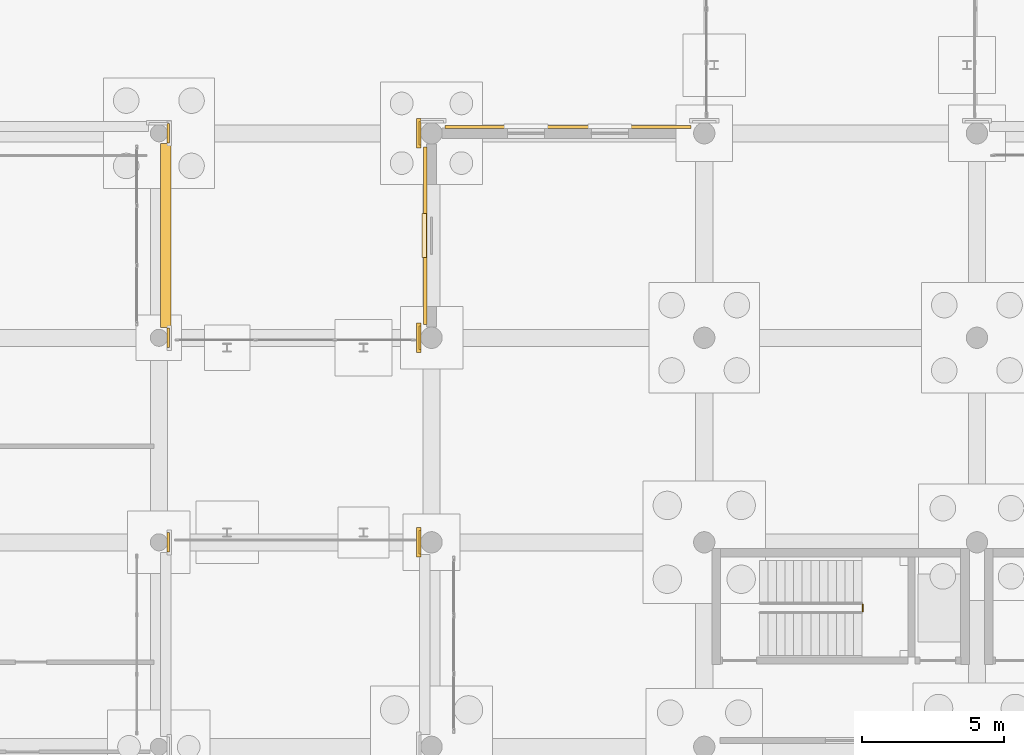
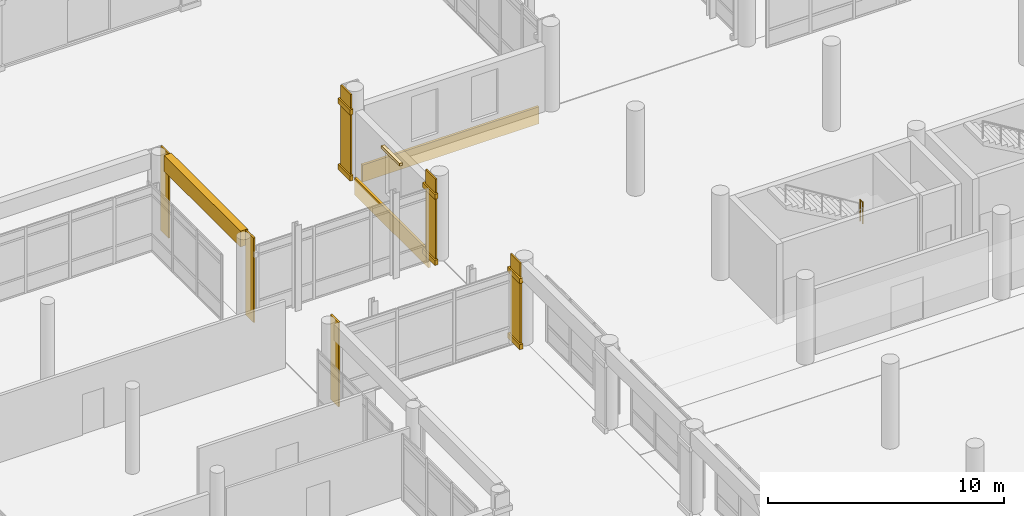
# One storey, part 181 of 196: 16 coverings, 1 railing.
"""IFC4 building model written with IfcOpenShell, lengths in metres."""

from ifc_helpers import new_model, si_unit, direction, frame, origin, origin_2d, place, context, subcontext, project, spatial, rectangle, circle, extrude, material, layer, layer_set, type_object, element, save


model = new_model("IFC4")

# Units and contexts
model_context = context("Model", 3, precision=1e-05, world=origin(), true_north=direction((0.0, 1.0)))
body_context = subcontext(model_context, "Body", "Model", "MODEL_VIEW")
ifc_project = project(units=[si_unit("LENGTHUNIT", "METRE"), si_unit("AREAUNIT", "SQUARE_METRE"), si_unit("VOLUMEUNIT", "CUBIC_METRE"), si_unit("PLANEANGLEUNIT", "RADIAN"), si_unit("MASSUNIT", "GRAM", prefix="KILO")], contexts=[model_context])

# Site, building, storey
site_placement = place(None, origin())
site = spatial("IfcSite", under=ifc_project, at=site_placement, CompositionType="ELEMENT")
building_placement = place(site_placement, origin())
building = spatial("IfcBuilding", under=site, at=building_placement, Name="Asteropetra Specialist Clinic", CompositionType="ELEMENT")
storey_placement = place(building_placement, origin())
storey = spatial("IfcBuildingStorey", under=building, at=storey_placement, Name="L00", CompositionType="ELEMENT", Elevation=0.0)

# Coverings
ifc_material_1 = material(Name="Pentelic marble ashlar", Category="masonry")
ifc_layer = layer(ifc_material_1, 0.159912109375)
ifc_layer_set = layer_set([ifc_layer], Name="Pentelic marble ashlar")
covering_type = type_object("IfcCoveringType", Name="CRN-ENTAB-600", PredefinedType="MOLDING", material=ifc_layer_set)
covering_1_placement = place(storey_placement, frame((96.239990234375, 58.800048828125, 3.58984375), z_axis=(0.0, 0.0, 1.0), x_axis=(1.0, 0.0, 0.0)))
element("IfcCovering", 1, at=covering_1_placement, inside=storey, type_object=covering_type, Name="Stoa Classical Entablature SE-0052", PredefinedType="MOLDING", context=body_context, shape_type="SweptSolid", body=[
    extrude(rectangle(XDim=0.360107421875, YDim=6.47998046875, at=origin_2d()), origin(), (0.0, 0.0, 1.0), 0.820068359375),
])
for number, where, z_axis, x_axis, name in (
    (2, (96.33203125, 48.0, 0.02001953125), (0.0, 0.0, 1.0), (1.0, 0.0, 0.0), "Neoclassical Pilaster Facing CM-0415"),
    (3, (96.33203125, 55.199951171875, 0.02001953125), (0.0, 0.0, 1.0), (1.0, 0.0, 0.0), "Neoclassical Pilaster Facing CM-0418"),
    (4, (96.33203125, 62.39990234375, 0.02001953125), (0.0, 0.0, 1.0), (1.0, 0.0, 0.0), "Neoclassical Pilaster Facing CM-0424"),
):
    element("IfcCovering", number, at=place(storey_placement, frame(where, z_axis=z_axis, x_axis=x_axis)), inside=storey, type_object=covering_type, Name=name, PredefinedType="MOLDING", context=body_context, shape_type="SweptSolid", body=[
        extrude(rectangle(XDim=0.080078125, YDim=0.679931640625, at=origin_2d()), origin(), (0.0, 0.0, 1.0), 4.3798828125),
    ])
covering_2_placement = place(storey_placement, frame((105.193115234375, 48.0, 0.02001953125), z_axis=(0.0, 0.0, 1.0), x_axis=(1.0, 0.0, 0.0)))
element("IfcCovering", 5, at=covering_2_placement, inside=storey, type_object=covering_type, Name="Neoclassical Pilaster Facing CM-0941", PredefinedType="MOLDING", context=body_context, shape_type="SweptSolid", body=[
    extrude(rectangle(XDim=0.080078125, YDim=0.830078125, at=origin_2d()), origin(), (0.0, 0.0, 1.0), 4.3798828125),
])
for number, where, z_axis, x_axis, name in (
    (6, (105.153076171875, 48.0, 0.009765625), (0.0, 0.0, 1.0), (1.0, 0.0, 0.0), "Doric Base CC-0942"),
    (7, (105.153076171875, 48.0, 3.43017578125), (0.0, 0.0, 1.0), (1.0, 0.0, 0.0), "Doric Capital CC-0943"),
):
    element("IfcCovering", number, at=place(storey_placement, frame(where, z_axis=z_axis, x_axis=x_axis)), inside=storey, type_object=covering_type, Name=name, PredefinedType="MOLDING", context=body_context, shape_type="SweptSolid", body=[
        extrude(rectangle(XDim=0.159912109375, YDim=1.030029296875, at=origin_2d()), origin(), (0.0, 0.0, 1.0), 0.260009765625),
    ])
covering_3_placement = place(storey_placement, frame((105.193115234375, 55.199951171875, 0.02001953125), z_axis=(0.0, 0.0, 1.0), x_axis=(1.0, 0.0, 0.0)))
element("IfcCovering", 8, at=covering_3_placement, inside=storey, type_object=covering_type, Name="Neoclassical Pilaster Facing CM-0944", PredefinedType="MOLDING", context=body_context, shape_type="SweptSolid", body=[
    extrude(rectangle(XDim=0.080078125, YDim=0.830078125, at=origin_2d()), origin(), (0.0, 0.0, 1.0), 4.3798828125),
])
for number, where, z_axis, x_axis, name in (
    (9, (105.153076171875, 55.199951171875, 0.009765625), (0.0, 0.0, 1.0), (1.0, 0.0, 0.0), "Doric Base CC-0945"),
    (10, (105.153076171875, 55.199951171875, 3.43017578125), (0.0, 0.0, 1.0), (1.0, 0.0, 0.0), "Doric Capital CC-0946"),
):
    element("IfcCovering", number, at=place(storey_placement, frame(where, z_axis=z_axis, x_axis=x_axis)), inside=storey, type_object=covering_type, Name=name, PredefinedType="MOLDING", context=body_context, shape_type="SweptSolid", body=[
        extrude(rectangle(XDim=0.159912109375, YDim=1.030029296875, at=origin_2d()), origin(), (0.0, 0.0, 1.0), 0.260009765625),
    ])
covering_4_placement = place(storey_placement, frame((105.193115234375, 62.39990234375, 0.02001953125), z_axis=(0.0, 0.0, 1.0), x_axis=(1.0, 0.0, 0.0)))
element("IfcCovering", 11, at=covering_4_placement, inside=storey, type_object=covering_type, Name="Neoclassical Pilaster Facing CM-0950", PredefinedType="MOLDING", context=body_context, shape_type="SweptSolid", body=[
    extrude(rectangle(XDim=0.080078125, YDim=0.830078125, at=origin_2d()), origin(), (0.0, 0.0, 1.0), 4.3798828125),
])
for number, where, z_axis, x_axis, name in (
    (12, (105.153076171875, 62.39990234375, 0.009765625), (0.0, 0.0, 1.0), (1.0, 0.0, 0.0), "Doric Base CC-0951"),
    (13, (105.153076171875, 62.39990234375, 3.43017578125), (0.0, 0.0, 1.0), (1.0, 0.0, 0.0), "Doric Capital CC-0952"),
):
    element("IfcCovering", number, at=place(storey_placement, frame(where, z_axis=z_axis, x_axis=x_axis)), inside=storey, type_object=covering_type, Name=name, PredefinedType="MOLDING", context=body_context, shape_type="SweptSolid", body=[
        extrude(rectangle(XDim=0.159912109375, YDim=1.030029296875, at=origin_2d()), origin(), (0.0, 0.0, 1.0), 0.260009765625),
    ])
covering_5_placement = place(storey_placement, frame((110.39990234375, 62.6201171875, -0.800048828125), z_axis=(0.0, 0.0, 1.0), x_axis=(1.0, 0.0, 0.0)))
element("IfcCovering", 14, at=covering_5_placement, inside=storey, type_object=covering_type, Name="Chevron Spandrel Band CV-1993", PredefinedType="MOLDING", context=body_context, shape_type="SweptSolid", body=[
    extrude(rectangle(XDim=8.64990234375, YDim=0.1201171875, at=origin_2d()), origin(), (0.0, 0.0, 1.0), 0.8798828125),
])
covering_6_placement = place(storey_placement, frame((105.35009765625, 58.800048828125, 3.05029296875), z_axis=(0.0, 0.0, 1.0), x_axis=(1.0, 0.0, 0.0)))
element("IfcCovering", 15, at=covering_6_placement, inside=storey, type_object=covering_type, Name="Classical Window Hood WH-2007", PredefinedType="MOLDING", context=body_context, shape_type="SweptSolid", body=[
    extrude(rectangle(XDim=0.159912109375, YDim=1.5400390625, at=origin_2d()), origin(), (0.0, 0.0, 1.0), 0.139892578125),
])
covering_7_placement = place(storey_placement, frame((105.3798828125, 58.800048828125, -0.800048828125), z_axis=(0.0, 0.0, 1.0), x_axis=(1.0, 0.0, 0.0)))
element("IfcCovering", 16, at=covering_7_placement, inside=storey, type_object=covering_type, Name="Chevron Spandrel Band CV-2008", PredefinedType="MOLDING", context=body_context, shape_type="SweptSolid", body=[
    extrude(rectangle(XDim=0.1201171875, YDim=6.25, at=origin_2d()), origin(), (0.0, 0.0, 1.0), 0.8798828125),
])

# Railing
ifc_material_2 = material(Name="Steel S355 and laminated glass guard", Category="steel")
railing_type = type_object("IfcRailingType", Name="GRD-INT-1120", PredefinedType="GUARDRAIL", material=ifc_material_2)
railing_placement = place(storey_placement, frame((120.780029296875, 45.570068359375, 2.2099609375)))
element("IfcRailing", 17, at=railing_placement, inside=storey, type_object=railing_type, Name="Landing Slot Guard ST10-L00", PredefinedType="GUARDRAIL", context=body_context, shape_type="SweptSolid", body=[
    extrude(circle(Radius=0.02392578125, at=origin_2d()), frame((0.0, 0.0, 1.09619140625), z_axis=(0.0, 1.0, 0.0), x_axis=(-1.0, 0.0, 0.0)), (0.0, 0.0, 1.0), 0.239990234375),
    extrude(circle(Radius=0.02099609375, at=origin_2d()), origin(), (0.0, 0.0, 1.0), 1.072021484375),
    extrude(circle(Radius=0.02099609375, at=origin_2d()), frame((0.0, 0.239990234375, 0.0)), (0.0, 0.0, 1.0), 1.072021484375),
])

save(model, "model.ifc")
